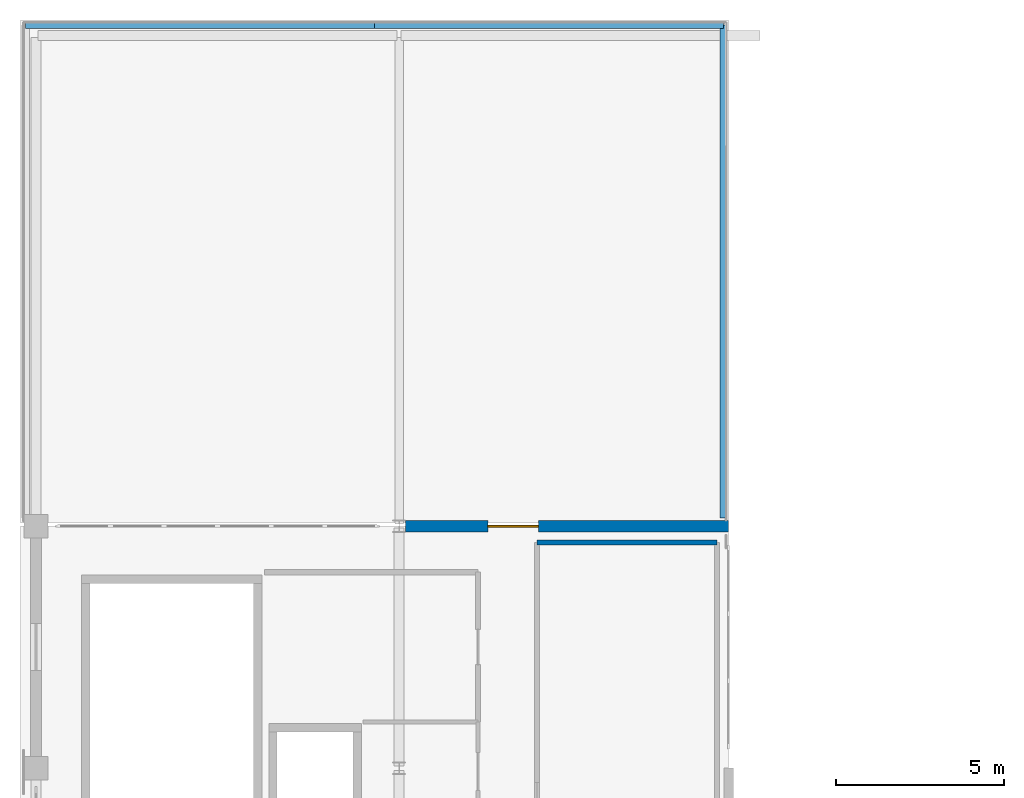
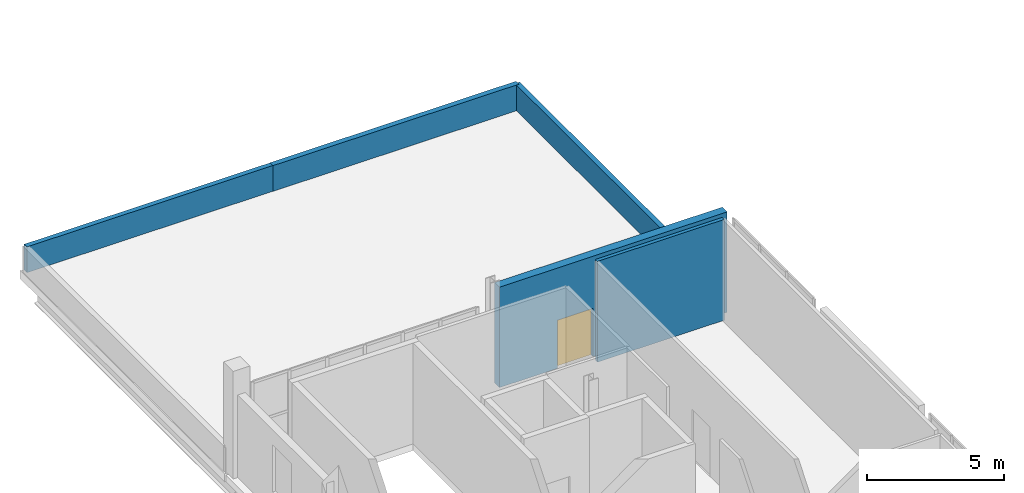
# One storey, part 16 of 19: 5 walls, 1 door, 1 opening.
"""IFC4 building model written with IfcOpenShell, lengths in metres."""

from ifc_helpers import new_model, si_unit, direction, frame, frame_2d, origin, place, context, subcontext, project, spatial, rectangle, extrude, material, layer, layer_set, type_object, element, fill, save


model = new_model("IFC4")

# Units and contexts
model_context = context("Model", 3, precision=1e-05, world=origin(), true_north=direction((0.0, 1.0)))
body_context = subcontext(model_context, "Body", "Model", "MODEL_VIEW")
ifc_project = project(units=[si_unit("LENGTHUNIT", "METRE"), si_unit("AREAUNIT", "SQUARE_METRE"), si_unit("VOLUMEUNIT", "CUBIC_METRE"), si_unit("PLANEANGLEUNIT", "RADIAN"), si_unit("MASSUNIT", "GRAM", prefix="KILO")], contexts=[model_context])

# Site, building, storey
site_placement = place(None, origin())
site = spatial("IfcSite", under=ifc_project, at=site_placement, CompositionType="ELEMENT")
building_placement = place(site_placement, origin())
building = spatial("IfcBuilding", under=site, at=building_placement, Name="Koshinbarg Plaza Stadium", CompositionType="ELEMENT")
storey_placement = place(building_placement, frame((0.0, 0.0, 29.39990234375)))
storey = spatial("IfcBuildingStorey", under=building, at=storey_placement, Name="L06", CompositionType="ELEMENT", Elevation=29.39990234375)

# Wall, opening, door
ifc_material_1 = material(Name="Acoustic insulated masonry stadium wall", Category="masonry")
ifc_layer_1 = layer(ifc_material_1, 0.35009765625)
ifc_layer_set_1 = layer_set([ifc_layer_1], Name="Acoustic insulated masonry stadium wall")
wall_type_1 = type_object("IfcWallType", Name="WL-EXT-350", PredefinedType="SOLIDWALL", material=ifc_layer_set_1)
wall_1_placement = place(storey_placement, frame((35.592529296875, 111.89990234375, 0.0), z_axis=(0.0, 0.0, 1.0), x_axis=(1.0, 0.0, 0.0)))
wall_1 = element("IfcWall", 1, at=wall_1_placement, inside=storey, type_object=wall_type_1, Name="L06 exterior envelope wall EWL-L06-0251", PredefinedType="SOLIDWALL", context=body_context, shape_type="SweptSolid", body=[
    extrude(rectangle(XDim=9.607421875, YDim=0.35009765625, at=frame_2d((4.8037109375, 0.0))), origin(), (0.0, 0.0, 1.0), 4.47998046875),
])
opening_placement = place(wall_1_placement, frame((2.449951171875, 0.0, 0.0)))
opening = element("IfcOpeningElement", 2, at=opening_placement, cuts=wall_1, Name="Opening D-0060", PredefinedType="OPENING", context=body_context, shape_type="SweptSolid", body=[
    extrude(rectangle(XDim=1.5, YDim=2.14990234375, at=frame_2d((0.75, 1.074951171875))), frame((0.0, 0.18505859375, 0.0), z_axis=(0.0, -1.0, 0.0), x_axis=(1.0, 0.0, 0.0)), (0.0, 0.0, 1.0), 0.3701171875),
])
ifc_material_2 = material(Name="Glazed aluminium sky-garden door", Category="aluminium")
door_type = type_object("IfcDoorType", Name="DR-TERR-1500", OperationType="NOTDEFINED", PredefinedType="DOOR", material=ifc_material_2)
door_placement = place(opening_placement, origin())
door = element("IfcDoor", 3, at=door_placement, inside=storey, type_object=door_type, Name="L06 Members sky garden terrace door", OperationType="SINGLE_SWING_LEFT", OverallHeight=2.14990234375, OverallWidth=1.5, PredefinedType="DOOR", context=body_context, shape_type="SweptSolid", body=[
    extrude(rectangle(XDim=1.5, YDim=2.14990234375, at=frame_2d((0.75, 1.074951171875))), frame((0.0, 0.02490234375, 0.0), z_axis=(0.0, -1.0, 0.0), x_axis=(1.0, 0.0, 0.0)), (0.0, 0.0, 1.0), 0.050048828125),
])
fill(opening, door)

# Walls
ifc_material_3 = material(Name="Precast concrete C40/50", Category="concrete")
ifc_layer_2 = layer(ifc_material_3, 0.199951171875)
ifc_layer_set_2 = layer_set([ifc_layer_2], Name="Precast concrete C40/50")
wall_type_2 = type_object("IfcWallType", Name="WL-PAR-200", PredefinedType="PARAPET", material=ifc_layer_set_2)
wall_2_placement = place(storey_placement, frame((45.050048828125, 112.139892578125, 0.0), z_axis=(0.0, 0.0, 1.0), x_axis=(0.0, 1.0, 0.0)))
element("IfcWall", 4, at=wall_2_placement, inside=storey, type_object=wall_type_2, Name="L06 roof garden parapet 032", PredefinedType="PARAPET", context=body_context, shape_type="SweptSolid", body=[
    extrude(rectangle(XDim=14.6650390625, YDim=0.199951171875, at=frame_2d((7.33251953125, 0.0))), origin(), (0.0, 0.0, 1.0), 1.150146484375),
])
wall_3_placement = place(storey_placement, frame((34.672607421875, 126.804931640625, 0.0), z_axis=(0.0, 0.0, 1.0), x_axis=(-1.0, 0.0, 0.0)))
element("IfcWall", 5, at=wall_3_placement, inside=storey, type_object=wall_type_2, Name="L06 roof garden parapet 034", PredefinedType="PARAPET", context=body_context, shape_type="SweptSolid", body=[
    extrude(rectangle(XDim=10.377685546875, YDim=0.199951171875, at=frame_2d((5.18896484375, 0.0))), origin(), (0.0, 0.0, 1.0), 1.150146484375),
])
ifc_layer_3 = layer(ifc_material_3, 0.219970703125)
ifc_layer_set_3 = layer_set([ifc_layer_3], Name="Precast concrete C40/50")
wall_type_3 = type_object("IfcWallType", Name="WL-PAR-220", PredefinedType="PARAPET", material=ifc_layer_set_3)
wall_4_placement = place(storey_placement, frame((45.050048828125, 126.804931640625, 0.0), z_axis=(0.0, 0.0, 1.0), x_axis=(-1.0, 0.0, 0.0)))
element("IfcWall", 6, at=wall_4_placement, inside=storey, type_object=wall_type_3, Name="L06 roof garden parapet 033", PredefinedType="PARAPET", context=body_context, shape_type="SweptSolid", body=[
    extrude(rectangle(XDim=10.37744140625, YDim=0.219970703125, at=frame_2d((5.188720703125, 0.0))), origin(), (0.0, 0.0, 1.0), 1.150146484375),
])
ifc_material_4 = material(Name="Double-layer gypsum acoustic suite partition")
ifc_layer_4 = layer(ifc_material_4, 0.14990234375)
ifc_layer_set_4 = layer_set([ifc_layer_4], Name="Double-layer gypsum acoustic suite partition")
wall_type_4 = type_object("IfcWallType", Name="WL-PART-150", PredefinedType="PARTITIONING", material=ifc_layer_set_4)
wall_5_placement = place(storey_placement, frame((44.860107421875, 111.409912109375, 0.0), z_axis=(0.0, 0.0, 1.0), x_axis=(-1.0, 0.0, 0.0)))
element("IfcWall", 7, at=wall_5_placement, inside=storey, type_object=wall_type_4, Name="L06 interior partition L06-43-north IWL-L06-2445", PredefinedType="PARTITIONING", context=body_context, shape_type="SweptSolid", body=[
    extrude(rectangle(XDim=5.360107421875, YDim=0.14990234375, at=frame_2d((2.68017578125, 0.0))), origin(), (0.0, 0.0, 1.0), 4.5),
])

save(model, "model.ifc")
